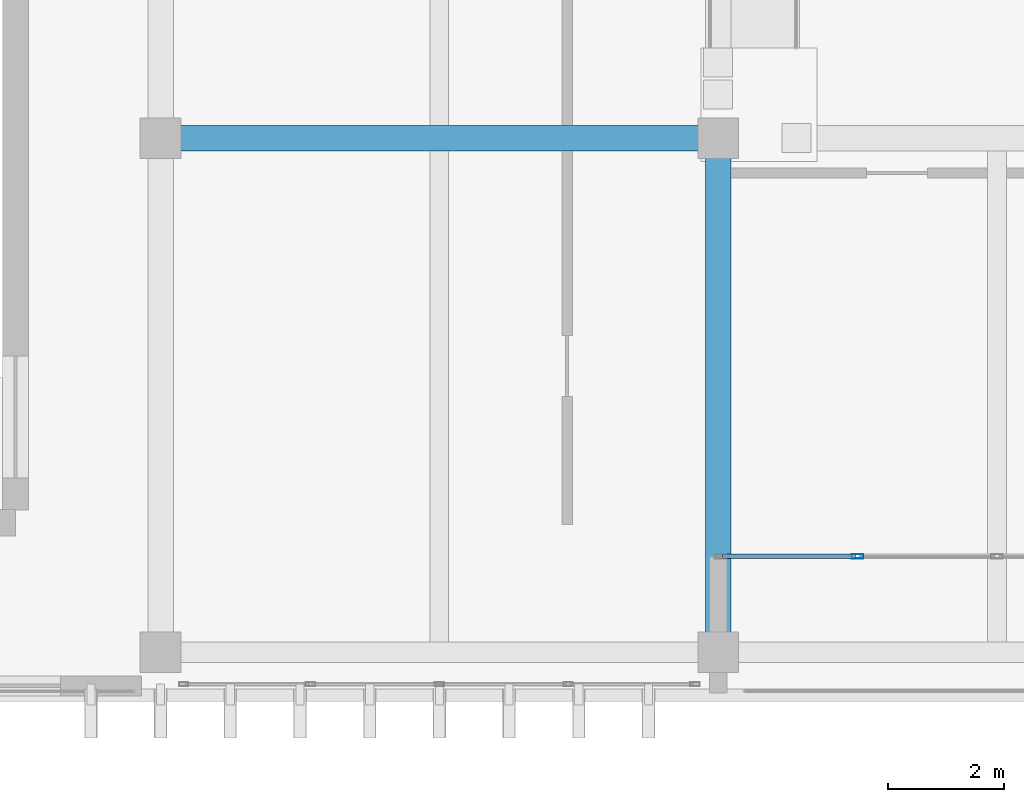
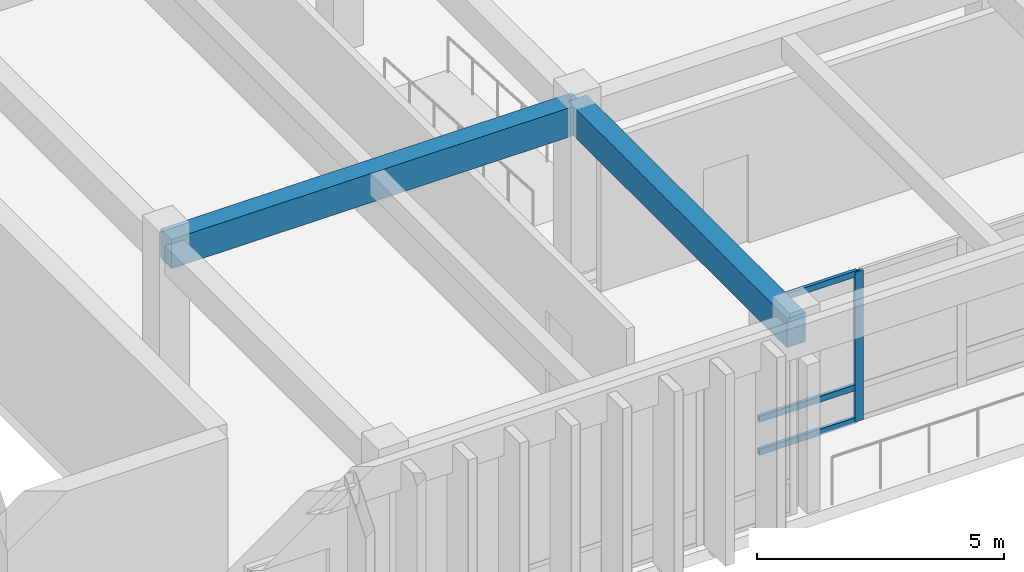
# One storey, part 9 of 133: 4 members, 2 beams, 1 element without a shape of its own.
"""IFC4 building model written with IfcOpenShell, lengths in metres."""

from ifc_helpers import new_model, si_unit, direction, frame, origin, origin_2d, place, context, subcontext, project, spatial, rectangle, hollow_rectangle, extrude, material, layer, layer_set, material_profile, profile_set, type_object, element, aggregate, save


model = new_model("IFC4")

# Units and contexts
model_context = context("Model", 3, precision=1e-05, world=origin(), true_north=direction((0.0, 1.0)))
body_context = subcontext(model_context, "Body", "Model", "MODEL_VIEW")
ifc_project = project(units=[si_unit("LENGTHUNIT", "METRE"), si_unit("AREAUNIT", "SQUARE_METRE"), si_unit("VOLUMEUNIT", "CUBIC_METRE"), si_unit("PLANEANGLEUNIT", "RADIAN"), si_unit("MASSUNIT", "GRAM", prefix="KILO")], contexts=[model_context])

# Site, building, storey
site_placement = place(None, origin())
site = spatial("IfcSite", under=ifc_project, at=site_placement, CompositionType="ELEMENT")
building_placement = place(site_placement, origin())
building = spatial("IfcBuilding", under=site, at=building_placement, Name="Nakhvara Creek Congress Hotel", CompositionType="ELEMENT")
storey_placement = place(building_placement, frame((0.0, 0.0, 11.39990234375)))
storey = spatial("IfcBuildingStorey", under=building, at=storey_placement, Name="L02", CompositionType="ELEMENT", Elevation=11.39990234375)

# Beams
ifc_material_1 = material(Name="Concrete C40/50", Category="concrete")
ifc_material_profile_1 = material_profile(ifc_material_1, rectangle(XDim=0.43994140625, YDim=0.719970703125, at=origin_2d()), Name="RC-BM 440x720", Category="LoadBearing")
ifc_profile_set_1 = profile_set([ifc_material_profile_1], Name="Concrete C40/50")
beam_type = type_object("IfcBeamType", Name="BM-RC-440X720", PredefinedType="BEAM", material=ifc_profile_set_1)
beam_1_placement = place(storey_placement, frame((67.199951171875, 9.60009765625, 4.06005859375), z_axis=(1.0, 0.0, 0.0), x_axis=(0.0, 1.0, 0.0)))
element("IfcBeam", 1, at=beam_1_placement, inside=storey, type_object=beam_type, Name="Beam B12-L02-1441", PredefinedType="BEAM", context=body_context, shape_type="SweptSolid", body=[
    extrude(rectangle(XDim=0.43994140625, YDim=0.719970703125, at=origin_2d()), origin(), (0.0, 0.0, 1.0), 9.60009765625),
])
beam_2_placement = place(storey_placement, frame((76.800048828125, 0.75, 4.06005859375), z_axis=(0.0, 1.0, 0.0), x_axis=(-1.0, 0.0, 0.0)))
element("IfcBeam", 2, at=beam_2_placement, inside=storey, type_object=beam_type, Name="Beam B12-L02-1447", PredefinedType="BEAM", context=body_context, shape_type="SweptSolid", body=[
    extrude(rectangle(XDim=0.43994140625, YDim=0.719970703125, at=origin_2d()), origin(), (0.0, 0.0, 1.0), 8.85009765625),
])

# Curtain wall, members
ifc_material_2 = material(Name="Bronze-anodised aluminium AW-6063-T6 and double-silver low-E glass", Category="aluminium")
ifc_layer = layer(ifc_material_2, 0.219970703125)
ifc_layer_set = layer_set([ifc_layer], Name="Bronze-anodised aluminium AW-6063-T6 and double-silver low-E glass")
curtain_wall_type = type_object("IfcCurtainWallType", Name="CW-BOX-REC", PredefinedType="USERDEFINED", material=ifc_layer_set)
curtain_wall_placement = place(storey_placement, origin())
curtain_wall = element("IfcCurtainWall", 3, at=curtain_wall_placement, inside=storey, type_object=curtain_wall_type, Name="Curtain Wall CW091", ObjectType="UNITISED", PredefinedType="USERDEFINED")
ifc_material_3 = material(Name="Bronze-anodised aluminium AW-6063-T6", Category="aluminium")
ifc_material_profile_2 = material_profile(ifc_material_3, hollow_rectangle(XDim=0.074951171875, YDim=0.199951171875, WallThickness=0.0048828125, at=origin_2d()), Name="ALU-MULL 75x200x5", Category="LoadBearing")
ifc_profile_set_2 = profile_set([ifc_material_profile_2], Name="Bronze-anodised aluminium AW-6063-T6")
member_type_1 = type_object("IfcMemberType", Name="CW-MULL-200", PredefinedType="MULLION", material=ifc_profile_set_2)
member_1_placement = place(storey_placement, frame((79.199951171875, 2.39990234375, 0.0), z_axis=(0.0, 0.0, 1.0), x_axis=(0.0, -1.0, 0.0)))
member_1 = element("IfcMember", 4, at=member_1_placement, type_object=member_type_1, Name="CW091 mullion 4", PredefinedType="MULLION", context=body_context, shape_type="SweptSolid", body=[
    extrude(hollow_rectangle(XDim=0.074951171875, YDim=0.199951171875, WallThickness=0.0048828125, at=origin_2d()), origin(), (0.0, 0.0, 1.0), 3.692138671875),
])
ifc_material_profile_3 = material_profile(ifc_material_3, hollow_rectangle(XDim=0.074951171875, YDim=0.14990234375, WallThickness=0.00390625, at=origin_2d()), Name="ALU-TRAN 75x150x4", Category="LoadBearing")
ifc_profile_set_3 = profile_set([ifc_material_profile_3], Name="Bronze-anodised aluminium AW-6063-T6")
member_type_2 = type_object("IfcMemberType", Name="CW-TRAN-150", PredefinedType="USERDEFINED", material=ifc_profile_set_3)
member_2_placement = place(storey_placement, frame((79.16259765625, 2.39990234375, 0.03759765625), z_axis=(-1.0, 0.0, 0.0), x_axis=(0.0, -1.0, 0.0)))
member_2 = element("IfcMember", 5, at=member_2_placement, type_object=member_type_2, Name="CW091 transom 4.1", ObjectType="TRANSOM", PredefinedType="USERDEFINED", context=body_context, shape_type="SweptSolid", body=[
    extrude(hollow_rectangle(XDim=0.074951171875, YDim=0.14990234375, WallThickness=0.00390625, at=origin_2d()), origin(), (0.0, 0.0, 1.0), 2.28759765625),
])
member_3_placement = place(storey_placement, frame((79.16259765625, 2.39990234375, 0.85009765625), z_axis=(-1.0, 0.0, 0.0), x_axis=(0.0, -1.0, 0.0)))
member_3 = element("IfcMember", 6, at=member_3_placement, type_object=member_type_2, Name="CW091 transom 4.2", ObjectType="TRANSOM", PredefinedType="USERDEFINED", context=body_context, shape_type="SweptSolid", body=[
    extrude(hollow_rectangle(XDim=0.074951171875, YDim=0.14990234375, WallThickness=0.00390625, at=origin_2d()), origin(), (0.0, 0.0, 1.0), 2.28759765625),
])
member_4_placement = place(storey_placement, frame((79.16259765625, 2.39990234375, 3.654541015625), z_axis=(-1.0, 0.0, 0.0), x_axis=(0.0, -1.0, 0.0)))
member_4 = element("IfcMember", 7, at=member_4_placement, type_object=member_type_2, Name="CW091 transom 4.3", ObjectType="TRANSOM", PredefinedType="USERDEFINED", context=body_context, shape_type="SweptSolid", body=[
    extrude(hollow_rectangle(XDim=0.074951171875, YDim=0.14990234375, WallThickness=0.00390625, at=origin_2d()), origin(), (0.0, 0.0, 1.0), 2.28759765625),
])
aggregate(curtain_wall, [member_1, member_2, member_3, member_4])

save(model, "model.ifc")
